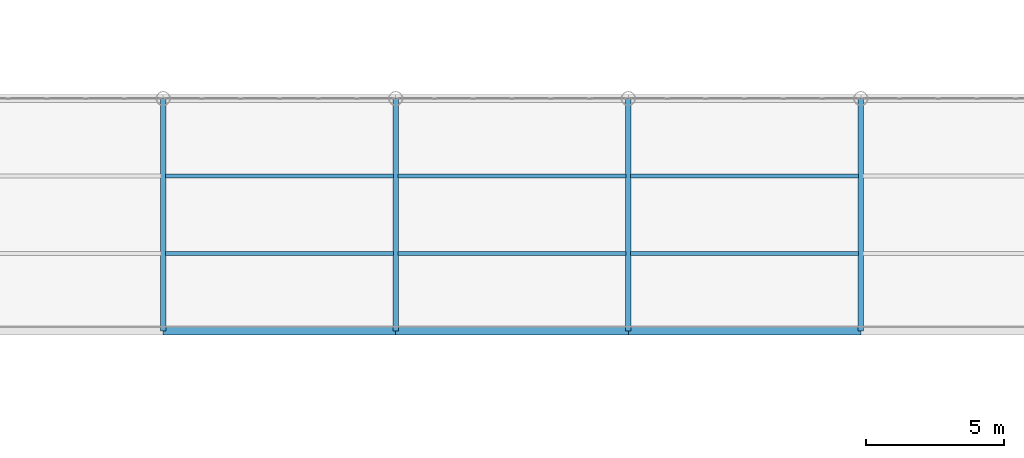
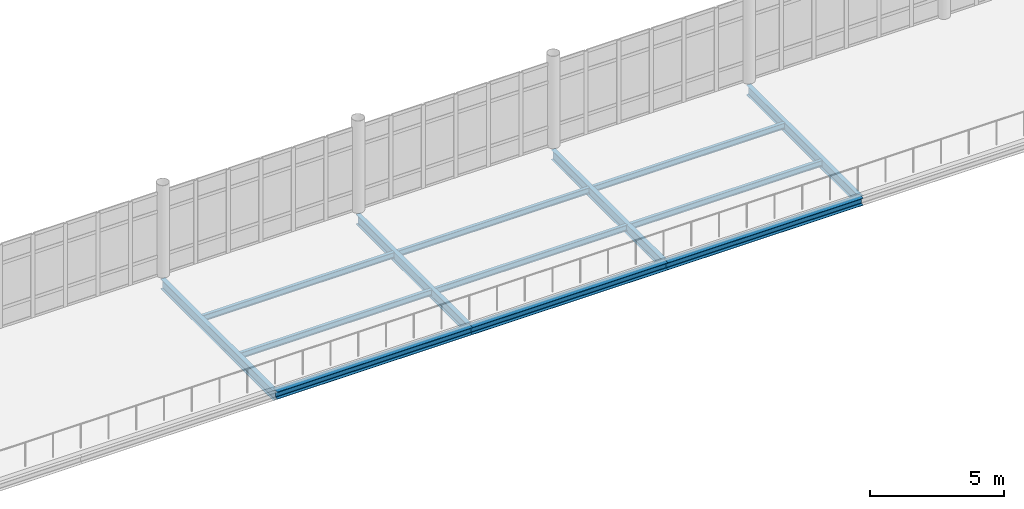
# One storey, part 61 of 163: 13 beams.
"""IFC4 building model written with IfcOpenShell, lengths in metres."""

from ifc_helpers import new_model, si_unit, direction, frame, origin, origin_2d, place, context, subcontext, project, spatial, i_section, extrude, material, material_profile, profile_set, type_object, element, save


model = new_model("IFC4")

# Units and contexts
model_context = context("Model", 3, precision=1e-05, world=origin(), true_north=direction((0.0, 1.0)))
body_context = subcontext(model_context, "Body", "Model", "MODEL_VIEW")
ifc_project = project(units=[si_unit("LENGTHUNIT", "METRE"), si_unit("AREAUNIT", "SQUARE_METRE"), si_unit("VOLUMEUNIT", "CUBIC_METRE"), si_unit("PLANEANGLEUNIT", "RADIAN"), si_unit("MASSUNIT", "GRAM", prefix="KILO")], contexts=[model_context])

# Site, building, storey
site_placement = place(None, origin())
site = spatial("IfcSite", under=ifc_project, at=site_placement, CompositionType="ELEMENT")
building_placement = place(site_placement, origin())
building = spatial("IfcBuilding", under=site, at=building_placement, Name="Qalvenar Corner Mobility Hub", CompositionType="ELEMENT")
storey_placement = place(building_placement, frame((0.0, 0.0, 4.800048828125)))
storey = spatial("IfcBuildingStorey", under=building, at=storey_placement, Name="L01", CompositionType="ELEMENT", Elevation=4.800048828125)

# Beams
ifc_material = material(Name="Steel S355", Category="steel")
ifc_material_profile_1 = material_profile(ifc_material, i_section(OverallWidth=0.18994140625, OverallDepth=0.449951171875, WebThickness=0.009521484375, FlangeThickness=0.0146484375, FilletRadius=0.02099609375, at=origin_2d()), Name="IPE450")
ifc_profile_set_1 = profile_set([ifc_material_profile_1], Name="Steel S355")
beam_type_1 = type_object("IfcBeamType", Name="BM-IPE450", PredefinedType="BEAM", material=ifc_profile_set_1)
for number, where, z_axis, x_axis, name in (
    (1, (67.199951171875, 25.199951171875, -0.405029296875), (0.0, 1.0, 0.0), (-1.0, 0.0, 0.0), "Primary Steel Girder GY-0958"),
    (2, (75.60009765625, 25.199951171875, -0.405029296875), (0.0, 1.0, 0.0), (-1.0, 0.0, 0.0), "Primary Steel Girder GY-0959"),
    (3, (84.0, 25.199951171875, -0.405029296875), (0.0, 1.0, 0.0), (-1.0, 0.0, 0.0), "Primary Steel Girder GY-0960"),
    (4, (92.39990234375, 25.199951171875, -0.405029296875), (0.0, 1.0, 0.0), (-1.0, 0.0, 0.0), "Primary Steel Girder GY-0961"),
):
    element("IfcBeam", number, at=place(storey_placement, frame(where, z_axis=z_axis, x_axis=x_axis)), inside=storey, type_object=beam_type_1, Name=name, PredefinedType="BEAM", context=body_context, shape_type="SweptSolid", body=[
        extrude(i_section(OverallWidth=0.18994140625, OverallDepth=0.449951171875, WebThickness=0.009521484375, FlangeThickness=0.0146484375, FilletRadius=0.02099609375, at=origin_2d()), origin(), (0.0, 0.0, 1.0), 8.400146484375),
    ])
ifc_material_profile_2 = material_profile(ifc_material, i_section(OverallWidth=0.135009765625, OverallDepth=0.27001953125, WebThickness=0.006591796875, FlangeThickness=0.01025390625, FilletRadius=0.014892578125, at=origin_2d()), Name="IPE270")
ifc_profile_set_2 = profile_set([ifc_material_profile_2], Name="Steel S355")
beam_type_2 = type_object("IfcBeamType", Name="BM-JST270", PredefinedType="JOIST", material=ifc_profile_set_2)
for number, where, z_axis, x_axis, name in (
    (5, (67.278076171875, 28.0, -0.31494140625), (1.0, 0.0, 0.0), (0.0, 1.0, 0.0), "Composite Floor Joist J-0968"),
    (6, (67.278076171875, 30.800048828125, -0.31494140625), (1.0, 0.0, 0.0), (0.0, 1.0, 0.0), "Composite Floor Joist J-0969"),
):
    element("IfcBeam", number, at=place(storey_placement, frame(where, z_axis=z_axis, x_axis=x_axis)), inside=storey, type_object=beam_type_2, Name=name, PredefinedType="JOIST", context=body_context, shape_type="SweptSolid", body=[
        extrude(i_section(OverallWidth=0.135009765625, OverallDepth=0.27001953125, WebThickness=0.006591796875, FlangeThickness=0.01025390625, FilletRadius=0.014892578125, at=origin_2d()), origin(), (0.0, 0.0, 1.0), 8.243896484375),
    ])
for number, where, z_axis, x_axis, name in (
    (7, (75.677978515625, 28.0, -0.31494140625), (1.0, 0.0, 0.0), (0.0, 1.0, 0.0), "Composite Floor Joist J-0970"),
    (8, (75.677978515625, 30.800048828125, -0.31494140625), (1.0, 0.0, 0.0), (0.0, 1.0, 0.0), "Composite Floor Joist J-0971"),
    (9, (84.077880859375, 28.0, -0.31494140625), (1.0, 0.0, 0.0), (0.0, 1.0, 0.0), "Composite Floor Joist J-0972"),
    (10, (84.077880859375, 30.800048828125, -0.31494140625), (1.0, 0.0, 0.0), (0.0, 1.0, 0.0), "Composite Floor Joist J-0973"),
):
    element("IfcBeam", number, at=place(storey_placement, frame(where, z_axis=z_axis, x_axis=x_axis)), inside=storey, type_object=beam_type_2, Name=name, PredefinedType="JOIST", context=body_context, shape_type="SweptSolid", body=[
        extrude(i_section(OverallWidth=0.135009765625, OverallDepth=0.27001953125, WebThickness=0.006591796875, FlangeThickness=0.01025390625, FilletRadius=0.014892578125, at=origin_2d()), origin(), (0.0, 0.0, 1.0), 8.244140625),
    ])
ifc_material_profile_3 = material_profile(ifc_material, i_section(OverallWidth=0.300048828125, OverallDepth=0.330078125, WebThickness=0.009521484375, FlangeThickness=0.0166015625, FilletRadius=0.027099609375, at=origin_2d()), Name="HEA340")
ifc_profile_set_3 = profile_set([ifc_material_profile_3], Name="Steel S355")
beam_type_3 = type_object("IfcBeamType", Name="BM-SPN340", PredefinedType="SPANDREL", material=ifc_profile_set_3)
beam_placement = place(storey_placement, frame((67.199951171875, 25.199951171875, -0.344970703125), z_axis=(1.0, 0.0, 0.0), x_axis=(0.0, 1.0, 0.0)))
element("IfcBeam", 11, at=beam_placement, inside=storey, type_object=beam_type_3, Name="Primary Steel Girder GX-0945", PredefinedType="SPANDREL", context=body_context, shape_type="SweptSolid", body=[
    extrude(i_section(OverallWidth=0.300048828125, OverallDepth=0.330078125, WebThickness=0.009521484375, FlangeThickness=0.0166015625, FilletRadius=0.027099609375, at=origin_2d()), origin(), (0.0, 0.0, 1.0), 8.400146484375),
])
for number, where, z_axis, x_axis, name in (
    (12, (75.60009765625, 25.199951171875, -0.344970703125), (1.0, 0.0, 0.0), (0.0, 1.0, 0.0), "Primary Steel Girder GX-0946"),
    (13, (84.0, 25.199951171875, -0.344970703125), (1.0, 0.0, 0.0), (0.0, 1.0, 0.0), "Primary Steel Girder GX-0947"),
):
    element("IfcBeam", number, at=place(storey_placement, frame(where, z_axis=z_axis, x_axis=x_axis)), inside=storey, type_object=beam_type_3, Name=name, PredefinedType="SPANDREL", context=body_context, shape_type="SweptSolid", body=[
        extrude(i_section(OverallWidth=0.300048828125, OverallDepth=0.330078125, WebThickness=0.009521484375, FlangeThickness=0.0166015625, FilletRadius=0.027099609375, at=origin_2d()), origin(), (0.0, 0.0, 1.0), 8.39990234375),
    ])

save(model, "model.ifc")
